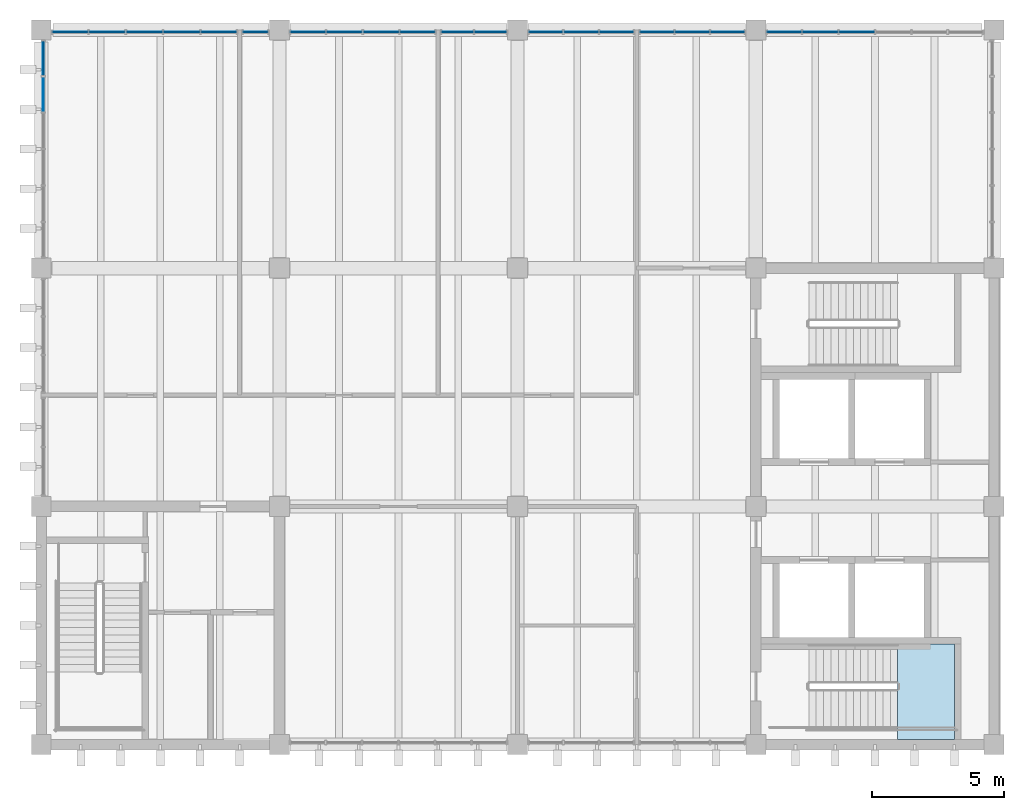
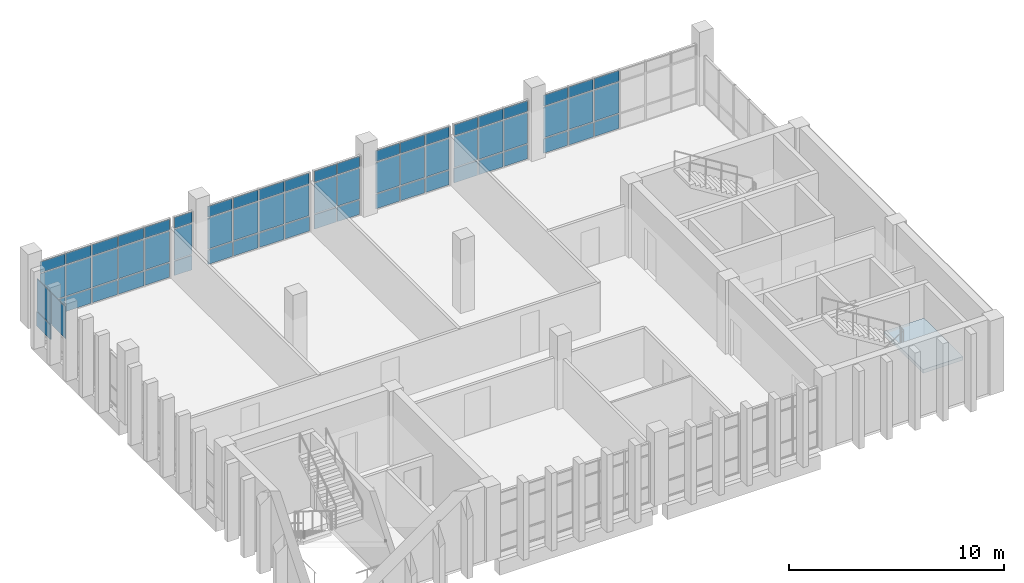
# One storey, part 8 of 14: 66 plates, 1 slab, 9 elements without a shape of their own.
"""IFC4 building model written with IfcOpenShell, lengths in metres."""

from ifc_helpers import new_model, si_unit, direction, frame, origin, origin_2d, place, context, subcontext, project, spatial, polyline, rectangle, outline, extrude, material, layer, layer_set, type_object, element, aggregate, save


model = new_model("IFC4")

# Units and contexts
model_context = context("Model", 3, precision=1e-05, world=origin(), true_north=direction((0.0, 1.0)))
body_context = subcontext(model_context, "Body", "Model", "MODEL_VIEW")
ifc_project = project(units=[si_unit("LENGTHUNIT", "METRE"), si_unit("AREAUNIT", "SQUARE_METRE"), si_unit("VOLUMEUNIT", "CUBIC_METRE"), si_unit("PLANEANGLEUNIT", "RADIAN"), si_unit("MASSUNIT", "GRAM", prefix="KILO")], contexts=[model_context])

# Site, building, storey
site_placement = place(None, origin())
site = spatial("IfcSite", under=ifc_project, at=site_placement, CompositionType="ELEMENT")
building_placement = place(site_placement, origin())
building = spatial("IfcBuilding", under=site, at=building_placement, Name="Merrow Basin Faculty of Sciences", CompositionType="ELEMENT")
storey_placement = place(building_placement, frame((0.0, 0.0, 27.0)))
storey = spatial("IfcBuildingStorey", under=building, at=storey_placement, Name="L06", CompositionType="ELEMENT", Elevation=27.0)

# Curtain wall, plate
ifc_material_1 = material(Name="Aluminium alloy 6063", Category="aluminium")
curtain_wall_type = type_object("IfcCurtainWallType", Name="Unitised curtain wall 160", PredefinedType="NOTDEFINED", material=ifc_material_1)
curtain_wall_1_placement = place(storey_placement, origin())
curtain_wall_1 = element("IfcCurtainWall", 1, at=curtain_wall_1_placement, inside=storey, type_object=curtain_wall_type, Name="W curtain wall L06 3", PredefinedType="NOTDEFINED")
ifc_material_2 = material(Name="Insulated aluminium spandrel panel", Category="aluminium")
ifc_layer_1 = layer(ifc_material_2, 0.052001953125)
ifc_layer_set_1 = layer_set([ifc_layer_1], Name="Insulated spandrel panel 52")
plate_type_1 = type_object("IfcPlateType", Name="Insulated spandrel panel 52", PredefinedType="CURTAIN_PANEL", material=ifc_layer_set_1)
plate_1_placement = place(storey_placement, frame((18.080078125, 167.922607421875, 0.06005859375), z_axis=(0.0, 0.0, 1.0), x_axis=(0.0, 1.0, 0.0)))
plate_1 = element("IfcPlate", 2, at=plate_1_placement, type_object=plate_type_1, Name="CW3 panel 6.1", PredefinedType="CURTAIN_PANEL", context=body_context, shape_type="SweptSolid", body=[
    extrude(rectangle(XDim=1.284912109375, YDim=0.052001953125, at=origin_2d()), origin(), (0.0, 0.0, 1.0), 0.81005859375),
])

# Curtain wall, plates
curtain_wall_2_placement = place(storey_placement, origin())
curtain_wall_2 = element("IfcCurtainWall", 3, at=curtain_wall_2_placement, inside=storey, type_object=curtain_wall_type, Name="N curtain wall L06 1", PredefinedType="NOTDEFINED")
plate_2_placement = place(storey_placement, frame((19.094970703125, 168.919921875, 0.06005859375), z_axis=(0.0, 0.0, 1.0), x_axis=(1.0, 0.0, 0.0)))
plate_2 = element("IfcPlate", 4, at=plate_2_placement, type_object=plate_type_1, Name="CW3 panel 1.1", PredefinedType="CURTAIN_PANEL", context=body_context, shape_type="SweptSolid", body=[
    extrude(rectangle(XDim=1.320068359375, YDim=0.052001953125, at=origin_2d()), origin(), (0.0, 0.0, 1.0), 0.81005859375),
])
plate_3_placement = place(storey_placement, frame((20.489990234375, 168.919921875, 0.06005859375), z_axis=(0.0, 0.0, 1.0), x_axis=(1.0, 0.0, 0.0)))
plate_3 = element("IfcPlate", 5, at=plate_3_placement, type_object=plate_type_1, Name="CW3 panel 2.1", PredefinedType="CURTAIN_PANEL", context=body_context, shape_type="SweptSolid", body=[
    extrude(rectangle(XDim=1.35009765625, YDim=0.052001953125, at=origin_2d()), origin(), (0.0, 0.0, 1.0), 0.81005859375),
])
plate_4_placement = place(storey_placement, frame((21.89990234375, 168.919921875, 0.06005859375), z_axis=(0.0, 0.0, 1.0), x_axis=(1.0, 0.0, 0.0)))
plate_4 = element("IfcPlate", 6, at=plate_4_placement, type_object=plate_type_1, Name="CW3 panel 3.1", PredefinedType="CURTAIN_PANEL", context=body_context, shape_type="SweptSolid", body=[
    extrude(rectangle(XDim=1.35009765625, YDim=0.052001953125, at=origin_2d()), origin(), (0.0, 0.0, 1.0), 0.81005859375),
])
plate_5_placement = place(storey_placement, frame((23.31005859375, 168.919921875, 0.06005859375), z_axis=(0.0, 0.0, 1.0), x_axis=(1.0, 0.0, 0.0)))
plate_5 = element("IfcPlate", 7, at=plate_5_placement, type_object=plate_type_1, Name="CW3 panel 4.1", PredefinedType="CURTAIN_PANEL", context=body_context, shape_type="SweptSolid", body=[
    extrude(rectangle(XDim=1.35009765625, YDim=0.052001953125, at=origin_2d()), origin(), (0.0, 0.0, 1.0), 0.81005859375),
])
plate_6_placement = place(storey_placement, frame((24.705078125, 168.919921875, 0.06005859375), z_axis=(0.0, 0.0, 1.0), x_axis=(1.0, 0.0, 0.0)))
plate_6 = element("IfcPlate", 8, at=plate_6_placement, type_object=plate_type_1, Name="CW3 panel 5.1", PredefinedType="CURTAIN_PANEL", context=body_context, shape_type="SweptSolid", body=[
    extrude(rectangle(XDim=1.320068359375, YDim=0.052001953125, at=origin_2d()), origin(), (0.0, 0.0, 1.0), 0.81005859375),
])

# Curtain wall, plate
curtain_wall_3_placement = place(storey_placement, origin())
curtain_wall_3 = element("IfcCurtainWall", 9, at=curtain_wall_3_placement, inside=storey, type_object=curtain_wall_type, Name="N curtain wall L06 2", PredefinedType="NOTDEFINED")
plate_7_placement = place(storey_placement, frame((26.10009765625, 168.919921875, 0.06005859375), z_axis=(0.0, 0.0, 1.0), x_axis=(1.0, 0.0, 0.0)))
plate_7 = element("IfcPlate", 10, at=plate_7_placement, type_object=plate_type_1, Name="CW3 panel 1.1", PredefinedType="CURTAIN_PANEL", context=body_context, shape_type="SweptSolid", body=[
    extrude(rectangle(XDim=0.929931640625, YDim=0.052001953125, at=origin_2d()), origin(), (0.0, 0.0, 1.0), 0.81005859375),
])

# Curtain wall, plates
curtain_wall_4_placement = place(storey_placement, origin())
curtain_wall_4 = element("IfcCurtainWall", 11, at=curtain_wall_4_placement, inside=storey, type_object=curtain_wall_type, Name="N curtain wall L06 3", PredefinedType="NOTDEFINED")
plate_8_placement = place(storey_placement, frame((28.083740234375, 168.919921875, 0.06005859375), z_axis=(0.0, 0.0, 1.0), x_axis=(1.0, 0.0, 0.0)))
plate_8 = element("IfcPlate", 12, at=plate_8_placement, type_object=plate_type_1, Name="CW3 panel 1.1", PredefinedType="CURTAIN_PANEL", context=body_context, shape_type="SweptSolid", body=[
    extrude(rectangle(XDim=1.297607421875, YDim=0.052001953125, at=origin_2d()), origin(), (0.0, 0.0, 1.0), 0.81005859375),
])
plate_9_placement = place(storey_placement, frame((29.456298828125, 168.919921875, 0.06005859375), z_axis=(0.0, 0.0, 1.0), x_axis=(1.0, 0.0, 0.0)))
plate_9 = element("IfcPlate", 13, at=plate_9_placement, type_object=plate_type_1, Name="CW3 panel 2.1", PredefinedType="CURTAIN_PANEL", context=body_context, shape_type="SweptSolid", body=[
    extrude(rectangle(XDim=1.327392578125, YDim=0.052001953125, at=origin_2d()), origin(), (0.0, 0.0, 1.0), 0.81005859375),
])
plate_10_placement = place(storey_placement, frame((30.84375, 168.919921875, 0.06005859375), z_axis=(0.0, 0.0, 1.0), x_axis=(1.0, 0.0, 0.0)))
plate_10 = element("IfcPlate", 14, at=plate_10_placement, type_object=plate_type_1, Name="CW3 panel 3.1", PredefinedType="CURTAIN_PANEL", context=body_context, shape_type="SweptSolid", body=[
    extrude(rectangle(XDim=1.327392578125, YDim=0.052001953125, at=origin_2d()), origin(), (0.0, 0.0, 1.0), 0.81005859375),
])
plate_11_placement = place(storey_placement, frame((32.21630859375, 168.919921875, 0.06005859375), z_axis=(0.0, 0.0, 1.0), x_axis=(1.0, 0.0, 0.0)))
plate_11 = element("IfcPlate", 15, at=plate_11_placement, type_object=plate_type_1, Name="CW3 panel 4.1", PredefinedType="CURTAIN_PANEL", context=body_context, shape_type="SweptSolid", body=[
    extrude(rectangle(XDim=1.297607421875, YDim=0.052001953125, at=origin_2d()), origin(), (0.0, 0.0, 1.0), 0.81005859375),
])

curtain_wall_5_placement = place(storey_placement, origin())
curtain_wall_5 = element("IfcCurtainWall", 16, at=curtain_wall_5_placement, inside=storey, type_object=curtain_wall_type, Name="N curtain wall L06 4", PredefinedType="NOTDEFINED")
plate_12_placement = place(storey_placement, frame((33.7275390625, 168.919921875, 0.06005859375), z_axis=(0.0, 0.0, 1.0), x_axis=(1.0, 0.0, 0.0)))
plate_12 = element("IfcPlate", 17, at=plate_12_placement, type_object=plate_type_1, Name="CW3 panel 1.1", PredefinedType="CURTAIN_PANEL", context=body_context, shape_type="SweptSolid", body=[
    extrude(rectangle(XDim=1.18505859375, YDim=0.052001953125, at=origin_2d()), origin(), (0.0, 0.0, 1.0), 0.81005859375),
])
plate_13_placement = place(storey_placement, frame((34.972412109375, 168.919921875, 0.06005859375), z_axis=(0.0, 0.0, 1.0), x_axis=(1.0, 0.0, 0.0)))
plate_13 = element("IfcPlate", 18, at=plate_13_placement, type_object=plate_type_1, Name="CW3 panel 2.1", PredefinedType="CURTAIN_PANEL", context=body_context, shape_type="SweptSolid", body=[
    extrude(rectangle(XDim=1.18505859375, YDim=0.052001953125, at=origin_2d()), origin(), (0.0, 0.0, 1.0), 0.81005859375),
])

curtain_wall_6_placement = place(storey_placement, origin())
curtain_wall_6 = element("IfcCurtainWall", 19, at=curtain_wall_6_placement, inside=storey, type_object=curtain_wall_type, Name="N curtain wall L06 5", PredefinedType="NOTDEFINED")
plate_14_placement = place(storey_placement, frame((37.06494140625, 168.919921875, 0.06005859375), z_axis=(0.0, 0.0, 1.0), x_axis=(1.0, 0.0, 0.0)))
plate_14 = element("IfcPlate", 20, at=plate_14_placement, type_object=plate_type_1, Name="CW3 panel 1.1", PredefinedType="CURTAIN_PANEL", context=body_context, shape_type="SweptSolid", body=[
    extrude(rectangle(XDim=1.260009765625, YDim=0.052001953125, at=origin_2d()), origin(), (0.0, 0.0, 1.0), 0.81005859375),
])
plate_15_placement = place(storey_placement, frame((38.39990234375, 168.919921875, 0.06005859375), z_axis=(0.0, 0.0, 1.0), x_axis=(1.0, 0.0, 0.0)))
plate_15 = element("IfcPlate", 21, at=plate_15_placement, type_object=plate_type_1, Name="CW3 panel 2.1", PredefinedType="CURTAIN_PANEL", context=body_context, shape_type="SweptSolid", body=[
    extrude(rectangle(XDim=1.2900390625, YDim=0.052001953125, at=origin_2d()), origin(), (0.0, 0.0, 1.0), 0.81005859375),
])
plate_16_placement = place(storey_placement, frame((39.735107421875, 168.919921875, 0.06005859375), z_axis=(0.0, 0.0, 1.0), x_axis=(1.0, 0.0, 0.0)))
plate_16 = element("IfcPlate", 22, at=plate_16_placement, type_object=plate_type_1, Name="CW3 panel 3.1", PredefinedType="CURTAIN_PANEL", context=body_context, shape_type="SweptSolid", body=[
    extrude(rectangle(XDim=1.260009765625, YDim=0.052001953125, at=origin_2d()), origin(), (0.0, 0.0, 1.0), 0.81005859375),
])

curtain_wall_7_placement = place(storey_placement, origin())
curtain_wall_7 = element("IfcCurtainWall", 23, at=curtain_wall_7_placement, inside=storey, type_object=curtain_wall_type, Name="N curtain wall L06 6", PredefinedType="NOTDEFINED")
plate_17_placement = place(storey_placement, frame((41.264892578125, 168.919921875, 0.06005859375), z_axis=(0.0, 0.0, 1.0), x_axis=(1.0, 0.0, 0.0)))
plate_17 = element("IfcPlate", 24, at=plate_17_placement, type_object=plate_type_1, Name="CW3 panel 1.1", PredefinedType="CURTAIN_PANEL", context=body_context, shape_type="SweptSolid", body=[
    extrude(rectangle(XDim=1.260009765625, YDim=0.052001953125, at=origin_2d()), origin(), (0.0, 0.0, 1.0), 0.81005859375),
])
plate_18_placement = place(storey_placement, frame((42.60009765625, 168.919921875, 0.06005859375), z_axis=(0.0, 0.0, 1.0), x_axis=(1.0, 0.0, 0.0)))
plate_18 = element("IfcPlate", 25, at=plate_18_placement, type_object=plate_type_1, Name="CW3 panel 2.1", PredefinedType="CURTAIN_PANEL", context=body_context, shape_type="SweptSolid", body=[
    extrude(rectangle(XDim=1.2900390625, YDim=0.052001953125, at=origin_2d()), origin(), (0.0, 0.0, 1.0), 0.81005859375),
])
plate_19_placement = place(storey_placement, frame((43.93505859375, 168.919921875, 0.06005859375), z_axis=(0.0, 0.0, 1.0), x_axis=(1.0, 0.0, 0.0)))
plate_19 = element("IfcPlate", 26, at=plate_19_placement, type_object=plate_type_1, Name="CW3 panel 3.1", PredefinedType="CURTAIN_PANEL", context=body_context, shape_type="SweptSolid", body=[
    extrude(rectangle(XDim=1.260009765625, YDim=0.052001953125, at=origin_2d()), origin(), (0.0, 0.0, 1.0), 0.81005859375),
])

curtain_wall_8_placement = place(storey_placement, origin())
curtain_wall_8 = element("IfcCurtainWall", 27, at=curtain_wall_8_placement, inside=storey, type_object=curtain_wall_type, Name="N curtain wall L06 7", PredefinedType="NOTDEFINED")
plate_20_placement = place(storey_placement, frame((46.077392578125, 168.919921875, 0.06005859375), z_axis=(0.0, 0.0, 1.0), x_axis=(1.0, 0.0, 0.0)))
plate_20 = element("IfcPlate", 28, at=plate_20_placement, type_object=plate_type_1, Name="CW3 panel 1.1", PredefinedType="CURTAIN_PANEL", context=body_context, shape_type="SweptSolid", body=[
    extrude(rectangle(XDim=1.284912109375, YDim=0.052001953125, at=origin_2d()), origin(), (0.0, 0.0, 1.0), 0.81005859375),
])
plate_21_placement = place(storey_placement, frame((47.4375, 168.919921875, 0.06005859375), z_axis=(0.0, 0.0, 1.0), x_axis=(1.0, 0.0, 0.0)))
plate_21 = element("IfcPlate", 29, at=plate_21_placement, type_object=plate_type_1, Name="CW3 panel 2.1", PredefinedType="CURTAIN_PANEL", context=body_context, shape_type="SweptSolid", body=[
    extrude(rectangle(XDim=1.31494140625, YDim=0.052001953125, at=origin_2d()), origin(), (0.0, 0.0, 1.0), 0.81005859375),
])
plate_22_placement = place(storey_placement, frame((48.8125, 168.919921875, 0.06005859375), z_axis=(0.0, 0.0, 1.0), x_axis=(1.0, 0.0, 0.0)))
plate_22 = element("IfcPlate", 30, at=plate_22_placement, type_object=plate_type_1, Name="CW3 panel 3.1", PredefinedType="CURTAIN_PANEL", context=body_context, shape_type="SweptSolid", body=[
    extrude(rectangle(XDim=1.31494140625, YDim=0.052001953125, at=origin_2d()), origin(), (0.0, 0.0, 1.0), 0.81005859375),
])

# Plate
ifc_material_3 = material(Name="Low-E double glazing", Category="glass")
ifc_layer_2 = layer(ifc_material_3, 0.028076171875)
ifc_layer_set_2 = layer_set([ifc_layer_2], Name="Low-E double glazed panel 28")
plate_type_2 = type_object("IfcPlateType", Name="Low-E double glazed panel 28", PredefinedType="CURTAIN_PANEL", material=ifc_layer_set_2)
plate_23_placement = place(storey_placement, frame((18.080078125, 166.5625, 0.929931640625), z_axis=(0.0, 0.0, 1.0), x_axis=(0.0, 1.0, 0.0)))
plate_23 = element("IfcPlate", 31, at=plate_23_placement, type_object=plate_type_2, Name="CW3 panel 5.2", PredefinedType="CURTAIN_PANEL", context=body_context, shape_type="SweptSolid", body=[
    extrude(rectangle(XDim=1.31494140625, YDim=0.028076171875, at=origin_2d()), origin(), (0.0, 0.0, 1.0), 1.81005859375),
])

plate_24_placement = place(storey_placement, frame((18.080078125, 167.922607421875, 0.929931640625), z_axis=(0.0, 0.0, 1.0), x_axis=(0.0, 1.0, 0.0)))
plate_24 = element("IfcPlate", 32, at=plate_24_placement, type_object=plate_type_2, Name="CW3 panel 6.2", PredefinedType="CURTAIN_PANEL", context=body_context, shape_type="SweptSolid", body=[
    extrude(rectangle(XDim=1.284912109375, YDim=0.028076171875, at=origin_2d()), origin(), (0.0, 0.0, 1.0), 1.81005859375),
])

aggregate(curtain_wall_1, [plate_23, plate_1, plate_24])

plate_25_placement = place(storey_placement, frame((19.094970703125, 168.919921875, 0.93017578125), z_axis=(0.0, 0.0, 1.0), x_axis=(1.0, 0.0, 0.0)))
plate_25 = element("IfcPlate", 33, at=plate_25_placement, type_object=plate_type_2, Name="CW3 panel 1.2", PredefinedType="CURTAIN_PANEL", context=body_context, shape_type="SweptSolid", body=[
    extrude(rectangle(XDim=1.320068359375, YDim=0.028076171875, at=origin_2d()), origin(), (0.0, 0.0, 1.0), 1.739990234375),
])

plate_26_placement = place(storey_placement, frame((19.094970703125, 168.919921875, 2.72998046875), z_axis=(0.0, 0.0, 1.0), x_axis=(1.0, 0.0, 0.0)))
plate_26 = element("IfcPlate", 34, at=plate_26_placement, type_object=plate_type_2, Name="CW3 panel 1.3", PredefinedType="CURTAIN_PANEL", context=body_context, shape_type="SweptSolid", body=[
    extrude(rectangle(XDim=1.320068359375, YDim=0.028076171875, at=origin_2d()), origin(), (0.0, 0.0, 1.0), 0.610107421875),
])

plate_27_placement = place(storey_placement, frame((20.489990234375, 168.919921875, 0.93017578125), z_axis=(0.0, 0.0, 1.0), x_axis=(1.0, 0.0, 0.0)))
plate_27 = element("IfcPlate", 35, at=plate_27_placement, type_object=plate_type_2, Name="CW3 panel 2.2", PredefinedType="CURTAIN_PANEL", context=body_context, shape_type="SweptSolid", body=[
    extrude(rectangle(XDim=1.35009765625, YDim=0.028076171875, at=origin_2d()), origin(), (0.0, 0.0, 1.0), 1.739990234375),
])

plate_28_placement = place(storey_placement, frame((20.489990234375, 168.919921875, 2.72998046875), z_axis=(0.0, 0.0, 1.0), x_axis=(1.0, 0.0, 0.0)))
plate_28 = element("IfcPlate", 36, at=plate_28_placement, type_object=plate_type_2, Name="CW3 panel 2.3", PredefinedType="CURTAIN_PANEL", context=body_context, shape_type="SweptSolid", body=[
    extrude(rectangle(XDim=1.35009765625, YDim=0.028076171875, at=origin_2d()), origin(), (0.0, 0.0, 1.0), 0.610107421875),
])

plate_29_placement = place(storey_placement, frame((21.89990234375, 168.919921875, 0.93017578125), z_axis=(0.0, 0.0, 1.0), x_axis=(1.0, 0.0, 0.0)))
plate_29 = element("IfcPlate", 37, at=plate_29_placement, type_object=plate_type_2, Name="CW3 panel 3.2", PredefinedType="CURTAIN_PANEL", context=body_context, shape_type="SweptSolid", body=[
    extrude(rectangle(XDim=1.35009765625, YDim=0.028076171875, at=origin_2d()), origin(), (0.0, 0.0, 1.0), 1.739990234375),
])

plate_30_placement = place(storey_placement, frame((21.89990234375, 168.919921875, 2.72998046875), z_axis=(0.0, 0.0, 1.0), x_axis=(1.0, 0.0, 0.0)))
plate_30 = element("IfcPlate", 38, at=plate_30_placement, type_object=plate_type_2, Name="CW3 panel 3.3", PredefinedType="CURTAIN_PANEL", context=body_context, shape_type="SweptSolid", body=[
    extrude(rectangle(XDim=1.35009765625, YDim=0.028076171875, at=origin_2d()), origin(), (0.0, 0.0, 1.0), 0.610107421875),
])

plate_31_placement = place(storey_placement, frame((23.31005859375, 168.919921875, 0.93017578125), z_axis=(0.0, 0.0, 1.0), x_axis=(1.0, 0.0, 0.0)))
plate_31 = element("IfcPlate", 39, at=plate_31_placement, type_object=plate_type_2, Name="CW3 panel 4.2", PredefinedType="CURTAIN_PANEL", context=body_context, shape_type="SweptSolid", body=[
    extrude(rectangle(XDim=1.35009765625, YDim=0.028076171875, at=origin_2d()), origin(), (0.0, 0.0, 1.0), 1.739990234375),
])

plate_32_placement = place(storey_placement, frame((23.31005859375, 168.919921875, 2.72998046875), z_axis=(0.0, 0.0, 1.0), x_axis=(1.0, 0.0, 0.0)))
plate_32 = element("IfcPlate", 40, at=plate_32_placement, type_object=plate_type_2, Name="CW3 panel 4.3", PredefinedType="CURTAIN_PANEL", context=body_context, shape_type="SweptSolid", body=[
    extrude(rectangle(XDim=1.35009765625, YDim=0.028076171875, at=origin_2d()), origin(), (0.0, 0.0, 1.0), 0.610107421875),
])

plate_33_placement = place(storey_placement, frame((24.705078125, 168.919921875, 0.93017578125), z_axis=(0.0, 0.0, 1.0), x_axis=(1.0, 0.0, 0.0)))
plate_33 = element("IfcPlate", 41, at=plate_33_placement, type_object=plate_type_2, Name="CW3 panel 5.2", PredefinedType="CURTAIN_PANEL", context=body_context, shape_type="SweptSolid", body=[
    extrude(rectangle(XDim=1.320068359375, YDim=0.028076171875, at=origin_2d()), origin(), (0.0, 0.0, 1.0), 1.739990234375),
])

plate_34_placement = place(storey_placement, frame((24.705078125, 168.919921875, 2.72998046875), z_axis=(0.0, 0.0, 1.0), x_axis=(1.0, 0.0, 0.0)))
plate_34 = element("IfcPlate", 42, at=plate_34_placement, type_object=plate_type_2, Name="CW3 panel 5.3", PredefinedType="CURTAIN_PANEL", context=body_context, shape_type="SweptSolid", body=[
    extrude(rectangle(XDim=1.320068359375, YDim=0.028076171875, at=origin_2d()), origin(), (0.0, 0.0, 1.0), 0.610107421875),
])

aggregate(curtain_wall_2, [plate_2, plate_25, plate_26, plate_3, plate_27, plate_28, plate_4, plate_29, plate_30, plate_5, plate_31, plate_32, plate_6, plate_33, plate_34])

plate_35_placement = place(storey_placement, frame((26.10009765625, 168.919921875, 0.93017578125), z_axis=(0.0, 0.0, 1.0), x_axis=(1.0, 0.0, 0.0)))
plate_35 = element("IfcPlate", 43, at=plate_35_placement, type_object=plate_type_2, Name="CW3 panel 1.2", PredefinedType="CURTAIN_PANEL", context=body_context, shape_type="SweptSolid", body=[
    extrude(rectangle(XDim=0.929931640625, YDim=0.028076171875, at=origin_2d()), origin(), (0.0, 0.0, 1.0), 1.739990234375),
])

plate_36_placement = place(storey_placement, frame((26.10009765625, 168.919921875, 2.72998046875), z_axis=(0.0, 0.0, 1.0), x_axis=(1.0, 0.0, 0.0)))
plate_36 = element("IfcPlate", 44, at=plate_36_placement, type_object=plate_type_2, Name="CW3 panel 1.3", PredefinedType="CURTAIN_PANEL", context=body_context, shape_type="SweptSolid", body=[
    extrude(rectangle(XDim=0.929931640625, YDim=0.028076171875, at=origin_2d()), origin(), (0.0, 0.0, 1.0), 0.610107421875),
])

aggregate(curtain_wall_3, [plate_7, plate_35, plate_36])

plate_37_placement = place(storey_placement, frame((28.083740234375, 168.919921875, 0.93017578125), z_axis=(0.0, 0.0, 1.0), x_axis=(1.0, 0.0, 0.0)))
plate_37 = element("IfcPlate", 45, at=plate_37_placement, type_object=plate_type_2, Name="CW3 panel 1.2", PredefinedType="CURTAIN_PANEL", context=body_context, shape_type="SweptSolid", body=[
    extrude(rectangle(XDim=1.297607421875, YDim=0.028076171875, at=origin_2d()), origin(), (0.0, 0.0, 1.0), 1.739990234375),
])

plate_38_placement = place(storey_placement, frame((28.083740234375, 168.919921875, 2.72998046875), z_axis=(0.0, 0.0, 1.0), x_axis=(1.0, 0.0, 0.0)))
plate_38 = element("IfcPlate", 46, at=plate_38_placement, type_object=plate_type_2, Name="CW3 panel 1.3", PredefinedType="CURTAIN_PANEL", context=body_context, shape_type="SweptSolid", body=[
    extrude(rectangle(XDim=1.297607421875, YDim=0.028076171875, at=origin_2d()), origin(), (0.0, 0.0, 1.0), 0.610107421875),
])

plate_39_placement = place(storey_placement, frame((29.456298828125, 168.919921875, 0.93017578125), z_axis=(0.0, 0.0, 1.0), x_axis=(1.0, 0.0, 0.0)))
plate_39 = element("IfcPlate", 47, at=plate_39_placement, type_object=plate_type_2, Name="CW3 panel 2.2", PredefinedType="CURTAIN_PANEL", context=body_context, shape_type="SweptSolid", body=[
    extrude(rectangle(XDim=1.327392578125, YDim=0.028076171875, at=origin_2d()), origin(), (0.0, 0.0, 1.0), 1.739990234375),
])

plate_40_placement = place(storey_placement, frame((29.456298828125, 168.919921875, 2.72998046875), z_axis=(0.0, 0.0, 1.0), x_axis=(1.0, 0.0, 0.0)))
plate_40 = element("IfcPlate", 48, at=plate_40_placement, type_object=plate_type_2, Name="CW3 panel 2.3", PredefinedType="CURTAIN_PANEL", context=body_context, shape_type="SweptSolid", body=[
    extrude(rectangle(XDim=1.327392578125, YDim=0.028076171875, at=origin_2d()), origin(), (0.0, 0.0, 1.0), 0.610107421875),
])

plate_41_placement = place(storey_placement, frame((30.84375, 168.919921875, 0.93017578125), z_axis=(0.0, 0.0, 1.0), x_axis=(1.0, 0.0, 0.0)))
plate_41 = element("IfcPlate", 49, at=plate_41_placement, type_object=plate_type_2, Name="CW3 panel 3.2", PredefinedType="CURTAIN_PANEL", context=body_context, shape_type="SweptSolid", body=[
    extrude(rectangle(XDim=1.327392578125, YDim=0.028076171875, at=origin_2d()), origin(), (0.0, 0.0, 1.0), 1.739990234375),
])

plate_42_placement = place(storey_placement, frame((30.84375, 168.919921875, 2.72998046875), z_axis=(0.0, 0.0, 1.0), x_axis=(1.0, 0.0, 0.0)))
plate_42 = element("IfcPlate", 50, at=plate_42_placement, type_object=plate_type_2, Name="CW3 panel 3.3", PredefinedType="CURTAIN_PANEL", context=body_context, shape_type="SweptSolid", body=[
    extrude(rectangle(XDim=1.327392578125, YDim=0.028076171875, at=origin_2d()), origin(), (0.0, 0.0, 1.0), 0.610107421875),
])

plate_43_placement = place(storey_placement, frame((32.21630859375, 168.919921875, 0.93017578125), z_axis=(0.0, 0.0, 1.0), x_axis=(1.0, 0.0, 0.0)))
plate_43 = element("IfcPlate", 51, at=plate_43_placement, type_object=plate_type_2, Name="CW3 panel 4.2", PredefinedType="CURTAIN_PANEL", context=body_context, shape_type="SweptSolid", body=[
    extrude(rectangle(XDim=1.297607421875, YDim=0.028076171875, at=origin_2d()), origin(), (0.0, 0.0, 1.0), 1.739990234375),
])

plate_44_placement = place(storey_placement, frame((32.21630859375, 168.919921875, 2.72998046875), z_axis=(0.0, 0.0, 1.0), x_axis=(1.0, 0.0, 0.0)))
plate_44 = element("IfcPlate", 52, at=plate_44_placement, type_object=plate_type_2, Name="CW3 panel 4.3", PredefinedType="CURTAIN_PANEL", context=body_context, shape_type="SweptSolid", body=[
    extrude(rectangle(XDim=1.297607421875, YDim=0.028076171875, at=origin_2d()), origin(), (0.0, 0.0, 1.0), 0.610107421875),
])

aggregate(curtain_wall_4, [plate_8, plate_37, plate_38, plate_9, plate_39, plate_40, plate_10, plate_41, plate_42, plate_11, plate_43, plate_44])

plate_45_placement = place(storey_placement, frame((33.7275390625, 168.919921875, 0.93017578125), z_axis=(0.0, 0.0, 1.0), x_axis=(1.0, 0.0, 0.0)))
plate_45 = element("IfcPlate", 53, at=plate_45_placement, type_object=plate_type_2, Name="CW3 panel 1.2", PredefinedType="CURTAIN_PANEL", context=body_context, shape_type="SweptSolid", body=[
    extrude(rectangle(XDim=1.18505859375, YDim=0.028076171875, at=origin_2d()), origin(), (0.0, 0.0, 1.0), 1.739990234375),
])

plate_46_placement = place(storey_placement, frame((33.7275390625, 168.919921875, 2.72998046875), z_axis=(0.0, 0.0, 1.0), x_axis=(1.0, 0.0, 0.0)))
plate_46 = element("IfcPlate", 54, at=plate_46_placement, type_object=plate_type_2, Name="CW3 panel 1.3", PredefinedType="CURTAIN_PANEL", context=body_context, shape_type="SweptSolid", body=[
    extrude(rectangle(XDim=1.18505859375, YDim=0.028076171875, at=origin_2d()), origin(), (0.0, 0.0, 1.0), 0.610107421875),
])

plate_47_placement = place(storey_placement, frame((34.972412109375, 168.919921875, 0.93017578125), z_axis=(0.0, 0.0, 1.0), x_axis=(1.0, 0.0, 0.0)))
plate_47 = element("IfcPlate", 55, at=plate_47_placement, type_object=plate_type_2, Name="CW3 panel 2.2", PredefinedType="CURTAIN_PANEL", context=body_context, shape_type="SweptSolid", body=[
    extrude(rectangle(XDim=1.18505859375, YDim=0.028076171875, at=origin_2d()), origin(), (0.0, 0.0, 1.0), 1.739990234375),
])

plate_48_placement = place(storey_placement, frame((34.972412109375, 168.919921875, 2.72998046875), z_axis=(0.0, 0.0, 1.0), x_axis=(1.0, 0.0, 0.0)))
plate_48 = element("IfcPlate", 56, at=plate_48_placement, type_object=plate_type_2, Name="CW3 panel 2.3", PredefinedType="CURTAIN_PANEL", context=body_context, shape_type="SweptSolid", body=[
    extrude(rectangle(XDim=1.18505859375, YDim=0.028076171875, at=origin_2d()), origin(), (0.0, 0.0, 1.0), 0.610107421875),
])

aggregate(curtain_wall_5, [plate_12, plate_45, plate_46, plate_13, plate_47, plate_48])

plate_49_placement = place(storey_placement, frame((37.06494140625, 168.919921875, 0.93017578125), z_axis=(0.0, 0.0, 1.0), x_axis=(1.0, 0.0, 0.0)))
plate_49 = element("IfcPlate", 57, at=plate_49_placement, type_object=plate_type_2, Name="CW3 panel 1.2", PredefinedType="CURTAIN_PANEL", context=body_context, shape_type="SweptSolid", body=[
    extrude(rectangle(XDim=1.260009765625, YDim=0.028076171875, at=origin_2d()), origin(), (0.0, 0.0, 1.0), 1.739990234375),
])

plate_50_placement = place(storey_placement, frame((37.06494140625, 168.919921875, 2.72998046875), z_axis=(0.0, 0.0, 1.0), x_axis=(1.0, 0.0, 0.0)))
plate_50 = element("IfcPlate", 58, at=plate_50_placement, type_object=plate_type_2, Name="CW3 panel 1.3", PredefinedType="CURTAIN_PANEL", context=body_context, shape_type="SweptSolid", body=[
    extrude(rectangle(XDim=1.260009765625, YDim=0.028076171875, at=origin_2d()), origin(), (0.0, 0.0, 1.0), 0.610107421875),
])

plate_51_placement = place(storey_placement, frame((38.39990234375, 168.919921875, 0.93017578125), z_axis=(0.0, 0.0, 1.0), x_axis=(1.0, 0.0, 0.0)))
plate_51 = element("IfcPlate", 59, at=plate_51_placement, type_object=plate_type_2, Name="CW3 panel 2.2", PredefinedType="CURTAIN_PANEL", context=body_context, shape_type="SweptSolid", body=[
    extrude(rectangle(XDim=1.2900390625, YDim=0.028076171875, at=origin_2d()), origin(), (0.0, 0.0, 1.0), 1.739990234375),
])

plate_52_placement = place(storey_placement, frame((38.39990234375, 168.919921875, 2.72998046875), z_axis=(0.0, 0.0, 1.0), x_axis=(1.0, 0.0, 0.0)))
plate_52 = element("IfcPlate", 60, at=plate_52_placement, type_object=plate_type_2, Name="CW3 panel 2.3", PredefinedType="CURTAIN_PANEL", context=body_context, shape_type="SweptSolid", body=[
    extrude(rectangle(XDim=1.2900390625, YDim=0.028076171875, at=origin_2d()), origin(), (0.0, 0.0, 1.0), 0.610107421875),
])

plate_53_placement = place(storey_placement, frame((39.735107421875, 168.919921875, 0.93017578125), z_axis=(0.0, 0.0, 1.0), x_axis=(1.0, 0.0, 0.0)))
plate_53 = element("IfcPlate", 61, at=plate_53_placement, type_object=plate_type_2, Name="CW3 panel 3.2", PredefinedType="CURTAIN_PANEL", context=body_context, shape_type="SweptSolid", body=[
    extrude(rectangle(XDim=1.260009765625, YDim=0.028076171875, at=origin_2d()), origin(), (0.0, 0.0, 1.0), 1.739990234375),
])

plate_54_placement = place(storey_placement, frame((39.735107421875, 168.919921875, 2.72998046875), z_axis=(0.0, 0.0, 1.0), x_axis=(1.0, 0.0, 0.0)))
plate_54 = element("IfcPlate", 62, at=plate_54_placement, type_object=plate_type_2, Name="CW3 panel 3.3", PredefinedType="CURTAIN_PANEL", context=body_context, shape_type="SweptSolid", body=[
    extrude(rectangle(XDim=1.260009765625, YDim=0.028076171875, at=origin_2d()), origin(), (0.0, 0.0, 1.0), 0.610107421875),
])

aggregate(curtain_wall_6, [plate_14, plate_49, plate_50, plate_15, plate_51, plate_52, plate_16, plate_53, plate_54])

plate_55_placement = place(storey_placement, frame((41.264892578125, 168.919921875, 0.93017578125), z_axis=(0.0, 0.0, 1.0), x_axis=(1.0, 0.0, 0.0)))
plate_55 = element("IfcPlate", 63, at=plate_55_placement, type_object=plate_type_2, Name="CW3 panel 1.2", PredefinedType="CURTAIN_PANEL", context=body_context, shape_type="SweptSolid", body=[
    extrude(rectangle(XDim=1.260009765625, YDim=0.028076171875, at=origin_2d()), origin(), (0.0, 0.0, 1.0), 1.739990234375),
])

plate_56_placement = place(storey_placement, frame((41.264892578125, 168.919921875, 2.72998046875), z_axis=(0.0, 0.0, 1.0), x_axis=(1.0, 0.0, 0.0)))
plate_56 = element("IfcPlate", 64, at=plate_56_placement, type_object=plate_type_2, Name="CW3 panel 1.3", PredefinedType="CURTAIN_PANEL", context=body_context, shape_type="SweptSolid", body=[
    extrude(rectangle(XDim=1.260009765625, YDim=0.028076171875, at=origin_2d()), origin(), (0.0, 0.0, 1.0), 0.610107421875),
])

plate_57_placement = place(storey_placement, frame((42.60009765625, 168.919921875, 0.93017578125), z_axis=(0.0, 0.0, 1.0), x_axis=(1.0, 0.0, 0.0)))
plate_57 = element("IfcPlate", 65, at=plate_57_placement, type_object=plate_type_2, Name="CW3 panel 2.2", PredefinedType="CURTAIN_PANEL", context=body_context, shape_type="SweptSolid", body=[
    extrude(rectangle(XDim=1.2900390625, YDim=0.028076171875, at=origin_2d()), origin(), (0.0, 0.0, 1.0), 1.739990234375),
])

plate_58_placement = place(storey_placement, frame((42.60009765625, 168.919921875, 2.72998046875), z_axis=(0.0, 0.0, 1.0), x_axis=(1.0, 0.0, 0.0)))
plate_58 = element("IfcPlate", 66, at=plate_58_placement, type_object=plate_type_2, Name="CW3 panel 2.3", PredefinedType="CURTAIN_PANEL", context=body_context, shape_type="SweptSolid", body=[
    extrude(rectangle(XDim=1.2900390625, YDim=0.028076171875, at=origin_2d()), origin(), (0.0, 0.0, 1.0), 0.610107421875),
])

plate_59_placement = place(storey_placement, frame((43.93505859375, 168.919921875, 0.93017578125), z_axis=(0.0, 0.0, 1.0), x_axis=(1.0, 0.0, 0.0)))
plate_59 = element("IfcPlate", 67, at=plate_59_placement, type_object=plate_type_2, Name="CW3 panel 3.2", PredefinedType="CURTAIN_PANEL", context=body_context, shape_type="SweptSolid", body=[
    extrude(rectangle(XDim=1.260009765625, YDim=0.028076171875, at=origin_2d()), origin(), (0.0, 0.0, 1.0), 1.739990234375),
])

plate_60_placement = place(storey_placement, frame((43.93505859375, 168.919921875, 2.72998046875), z_axis=(0.0, 0.0, 1.0), x_axis=(1.0, 0.0, 0.0)))
plate_60 = element("IfcPlate", 68, at=plate_60_placement, type_object=plate_type_2, Name="CW3 panel 3.3", PredefinedType="CURTAIN_PANEL", context=body_context, shape_type="SweptSolid", body=[
    extrude(rectangle(XDim=1.260009765625, YDim=0.028076171875, at=origin_2d()), origin(), (0.0, 0.0, 1.0), 0.610107421875),
])

aggregate(curtain_wall_7, [plate_17, plate_55, plate_56, plate_18, plate_57, plate_58, plate_19, plate_59, plate_60])

plate_61_placement = place(storey_placement, frame((46.077392578125, 168.919921875, 0.93017578125), z_axis=(0.0, 0.0, 1.0), x_axis=(1.0, 0.0, 0.0)))
plate_61 = element("IfcPlate", 69, at=plate_61_placement, type_object=plate_type_2, Name="CW3 panel 1.2", PredefinedType="CURTAIN_PANEL", context=body_context, shape_type="SweptSolid", body=[
    extrude(rectangle(XDim=1.284912109375, YDim=0.028076171875, at=origin_2d()), origin(), (0.0, 0.0, 1.0), 1.739990234375),
])

plate_62_placement = place(storey_placement, frame((46.077392578125, 168.919921875, 2.72998046875), z_axis=(0.0, 0.0, 1.0), x_axis=(1.0, 0.0, 0.0)))
plate_62 = element("IfcPlate", 70, at=plate_62_placement, type_object=plate_type_2, Name="CW3 panel 1.3", PredefinedType="CURTAIN_PANEL", context=body_context, shape_type="SweptSolid", body=[
    extrude(rectangle(XDim=1.284912109375, YDim=0.028076171875, at=origin_2d()), origin(), (0.0, 0.0, 1.0), 0.610107421875),
])

plate_63_placement = place(storey_placement, frame((47.4375, 168.919921875, 0.93017578125), z_axis=(0.0, 0.0, 1.0), x_axis=(1.0, 0.0, 0.0)))
plate_63 = element("IfcPlate", 71, at=plate_63_placement, type_object=plate_type_2, Name="CW3 panel 2.2", PredefinedType="CURTAIN_PANEL", context=body_context, shape_type="SweptSolid", body=[
    extrude(rectangle(XDim=1.31494140625, YDim=0.028076171875, at=origin_2d()), origin(), (0.0, 0.0, 1.0), 1.739990234375),
])

plate_64_placement = place(storey_placement, frame((47.4375, 168.919921875, 2.72998046875), z_axis=(0.0, 0.0, 1.0), x_axis=(1.0, 0.0, 0.0)))
plate_64 = element("IfcPlate", 72, at=plate_64_placement, type_object=plate_type_2, Name="CW3 panel 2.3", PredefinedType="CURTAIN_PANEL", context=body_context, shape_type="SweptSolid", body=[
    extrude(rectangle(XDim=1.31494140625, YDim=0.028076171875, at=origin_2d()), origin(), (0.0, 0.0, 1.0), 0.610107421875),
])

plate_65_placement = place(storey_placement, frame((48.8125, 168.919921875, 0.93017578125), z_axis=(0.0, 0.0, 1.0), x_axis=(1.0, 0.0, 0.0)))
plate_65 = element("IfcPlate", 73, at=plate_65_placement, type_object=plate_type_2, Name="CW3 panel 3.2", PredefinedType="CURTAIN_PANEL", context=body_context, shape_type="SweptSolid", body=[
    extrude(rectangle(XDim=1.31494140625, YDim=0.028076171875, at=origin_2d()), origin(), (0.0, 0.0, 1.0), 1.739990234375),
])

plate_66_placement = place(storey_placement, frame((48.8125, 168.919921875, 2.72998046875), z_axis=(0.0, 0.0, 1.0), x_axis=(1.0, 0.0, 0.0)))
plate_66 = element("IfcPlate", 74, at=plate_66_placement, type_object=plate_type_2, Name="CW3 panel 3.3", PredefinedType="CURTAIN_PANEL", context=body_context, shape_type="SweptSolid", body=[
    extrude(rectangle(XDim=1.31494140625, YDim=0.028076171875, at=origin_2d()), origin(), (0.0, 0.0, 1.0), 0.610107421875),
])

aggregate(curtain_wall_8, [plate_20, plate_61, plate_62, plate_21, plate_63, plate_64, plate_22, plate_65, plate_66])

# Stair, slab
ifc_material_4 = material(Name="Concrete C40/50", Category="concrete")
stair_type = type_object("IfcStairType", Name="Concrete dog-leg stair Concrete C40/50", PredefinedType="HALF_TURN_STAIR", material=ifc_material_4)
stair_placement = place(storey_placement, origin())
stair = element("IfcStair", 75, at=stair_placement, inside=storey, type_object=stair_type, Name="L06 Exit stair N", PredefinedType="HALF_TURN_STAIR")
ifc_material_5 = material(Name="Concrete C40/50", Category="concrete")
ifc_layer_3 = layer(ifc_material_5, 0.199951171875)
ifc_layer_set_3 = layer_set([ifc_layer_3], Name="Stair landing 200 Concrete C40/50")
slab_type = type_object("IfcSlabType", Name="Stair landing 200 Concrete C40/50", PredefinedType="LANDING", material=ifc_layer_set_3)
slab_placement = place(storey_placement, frame((0.0, 0.0, 2.050048828125)))
slab = element("IfcSlab", 76, at=slab_placement, type_object=slab_type, Name="ST-V5-N landing 1", PredefinedType="LANDING", context=body_context, shape_type="SweptSolid", body=[
    extrude(outline(polyline([(50.360107421875, 142.199951171875), (52.5, 142.199951171875), (52.5, 145.800048828125), (50.360107421875, 145.800048828125), (50.360107421875, 142.199951171875)])), origin(), (0.0, 0.0, 1.0), 0.199951171875),
])
aggregate(stair, [slab])

save(model, "model.ifc")
